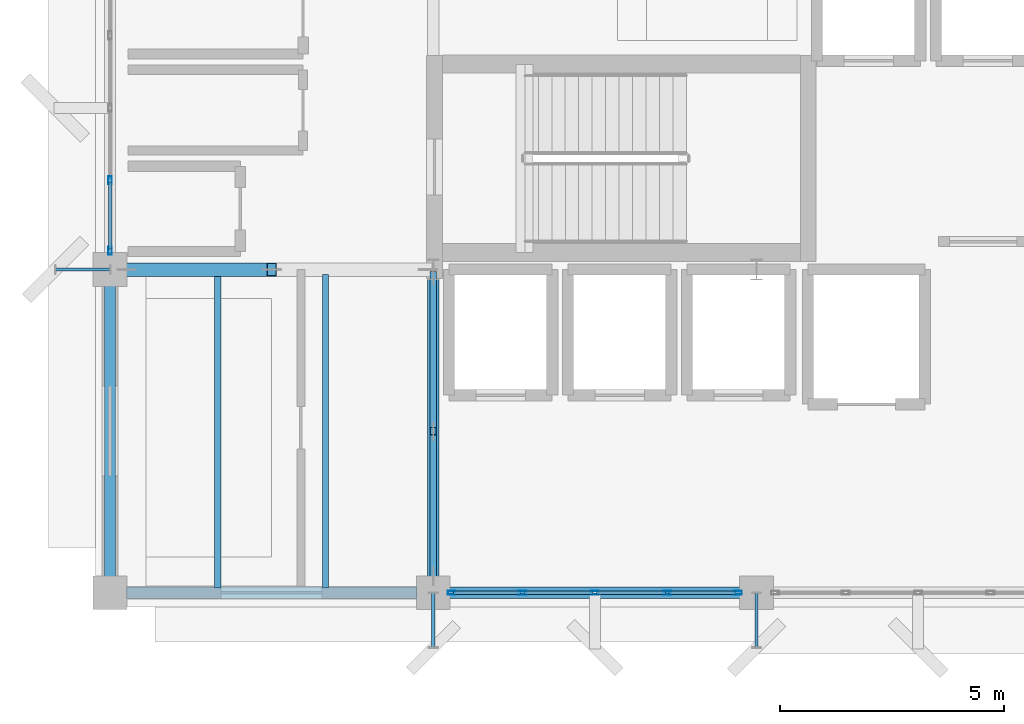
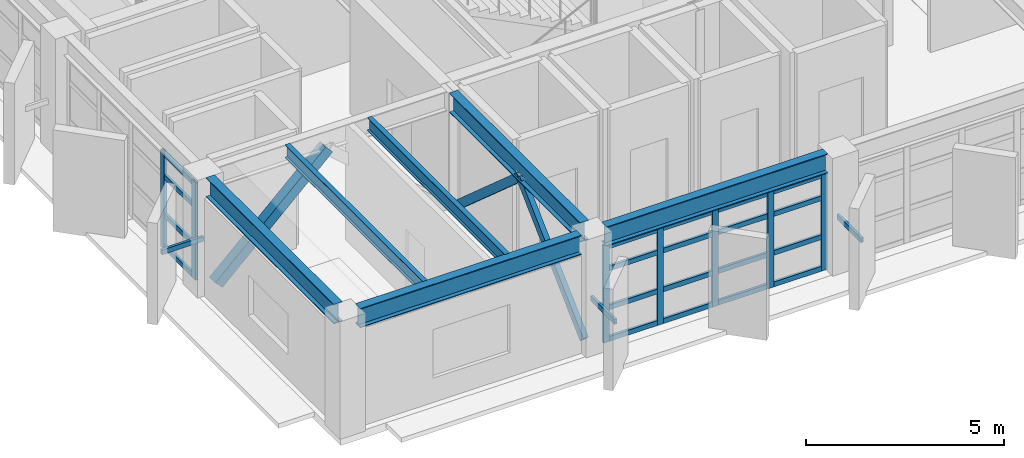
# One storey, part 5 of 48: 33 members, 6 beams, 2 elements without a shape of their own.
"""IFC4 building model written with IfcOpenShell, lengths in metres."""

from ifc_helpers import new_model, si_unit, direction, frame, origin, origin_2d, place, context, subcontext, project, spatial, hollow_rectangle, i_section, extrude, material, layer, layer_set, material_profile, profile_set, type_object, element, aggregate, save


model = new_model("IFC4")

# Units and contexts
model_context = context("Model", 3, precision=1e-05, world=origin(), true_north=direction((0.0, 1.0)))
body_context = subcontext(model_context, "Body", "Model", "MODEL_VIEW")
ifc_project = project(units=[si_unit("LENGTHUNIT", "METRE"), si_unit("AREAUNIT", "SQUARE_METRE"), si_unit("VOLUMEUNIT", "CUBIC_METRE"), si_unit("PLANEANGLEUNIT", "RADIAN"), si_unit("MASSUNIT", "GRAM", prefix="KILO")], contexts=[model_context])

# Site, building, storey
site_placement = place(None, origin())
site = spatial("IfcSite", under=ifc_project, at=site_placement, CompositionType="ELEMENT")
building_placement = place(site_placement, origin())
building = spatial("IfcBuilding", under=site, at=building_placement, Name="Kandorven Conservatory and Botanical Research Centre", CompositionType="ELEMENT")
storey_placement = place(building_placement, frame((0.0, 0.0, 13.199951171875)))
storey = spatial("IfcBuildingStorey", under=building, at=storey_placement, Name="L03", CompositionType="ELEMENT", Elevation=13.199951171875)

# Beams
ifc_material_1 = material(Name="Steel S355 (IS 2062 E350)", Category="steel")
ifc_material_profile_1 = material_profile(ifc_material_1, i_section(OverallWidth=0.25, OverallDepth=0.60009765625, WebThickness=0.01171875, FlangeThickness=0.023681640625, at=origin_2d()))
ifc_profile_set_1 = profile_set([ifc_material_profile_1], Name="Steel S355 (IS 2062 E350)")
beam_type_1 = type_object("IfcBeamType", Name="Beam_FG-01", PredefinedType="USERDEFINED", material=ifc_profile_set_1)
for number, where, z_axis, x_axis, name in (
    (1, (6.364990234375, 6.0, 3.3349609375), (1.0, 0.0, 0.0), (0.0, 1.0, 0.0), "Primary girder FG-01 TWR L03"),
    (2, (13.56494140625, 6.0, 3.3349609375), (1.0, 0.0, 0.0), (0.0, 1.0, 0.0), "Primary girder FG-01 TWR L03"),
    (3, (6.0, 6.364990234375, 3.3349609375), (0.0, 1.0, 0.0), (-1.0, 0.0, 0.0), "Primary girder FG-01 TWR L03"),
):
    element("IfcBeam", number, at=place(storey_placement, frame(where, z_axis=z_axis, x_axis=x_axis)), inside=storey, type_object=beam_type_1, Name=name, ObjectType="GIRDER", PredefinedType="USERDEFINED", context=body_context, shape_type="SweptSolid", body=[
        extrude(i_section(OverallWidth=0.25, OverallDepth=0.60009765625, WebThickness=0.01171875, FlangeThickness=0.023681640625, at=origin_2d()), origin(), (0.0, 0.0, 1.0), 6.469970703125),
    ])
beam_placement = place(storey_placement, frame((13.199951171875, 6.364990234375, 3.3349609375), z_axis=(0.0, 1.0, 0.0), x_axis=(-1.0, 0.0, 0.0)))
element("IfcBeam", 4, at=beam_placement, inside=storey, type_object=beam_type_1, Name="Primary girder FG-01 TWR L03", ObjectType="GIRDER", PredefinedType="USERDEFINED", context=body_context, shape_type="SweptSolid", body=[
    extrude(i_section(OverallWidth=0.25, OverallDepth=0.60009765625, WebThickness=0.01171875, FlangeThickness=0.023681640625, at=origin_2d()), origin(), (0.0, 0.0, 1.0), 6.6201171875),
])
ifc_material_2 = material(Name="Steel S355 (IS 2062 E350)", Category="steel")
ifc_material_profile_2 = material_profile(ifc_material_2, i_section(OverallWidth=0.139892578125, OverallDepth=0.39990234375, WebThickness=0.0087890625, FlangeThickness=0.01611328125, at=origin_2d()))
ifc_profile_set_2 = profile_set([ifc_material_profile_2], Name="Steel S355 (IS 2062 E350)")
beam_type_2 = type_object("IfcBeamType", Name="Beam_SB-05", PredefinedType="BEAM", material=ifc_profile_set_2)
for number, where, z_axis, x_axis, name in (
    (5, (8.39990234375, 6.110107421875, 3.43505859375), (0.0, 1.0, 0.0), (-1.0, 0.0, 0.0), "Composite secondary beam SB-05 TWR L03"),
    (6, (10.800048828125, 6.110107421875, 3.43505859375), (0.0, 1.0, 0.0), (-1.0, 0.0, 0.0), "Composite secondary beam SB-05 TWR L03"),
):
    element("IfcBeam", number, at=place(storey_placement, frame(where, z_axis=z_axis, x_axis=x_axis)), inside=storey, type_object=beam_type_2, Name=name, PredefinedType="BEAM", context=body_context, shape_type="SweptSolid", body=[
        extrude(i_section(OverallWidth=0.139892578125, OverallDepth=0.39990234375, WebThickness=0.0087890625, FlangeThickness=0.01611328125, at=origin_2d()), origin(), (0.0, 0.0, 1.0), 6.97998046875),
    ])

# Curtain wall, members
ifc_material_3 = material(Name="Bronze anodised thermally broken aluminium", Category="aluminium")
ifc_layer = layer(ifc_material_3, 0.179931640625)
ifc_layer_set = layer_set([ifc_layer], Name="Bronze anodised thermally broken aluminium")
curtain_wall_type = type_object("IfcCurtainWallType", Name="CW_Unitised", PredefinedType="USERDEFINED", material=ifc_layer_set)
curtain_wall_1_placement = place(storey_placement, origin())
curtain_wall_1 = element("IfcCurtainWall", 7, at=curtain_wall_1_placement, inside=storey, type_object=curtain_wall_type, Name="Tower laboratory curtain wall CW-TWR-S-L03-2", ObjectType="UNITISED GLAZING", PredefinedType="USERDEFINED")
ifc_material_4 = material(Name="Bronze anodised thermally broken aluminium", Category="aluminium")
ifc_material_profile_3 = material_profile(ifc_material_4, hollow_rectangle(XDim=0.080078125, YDim=0.179931640625, WallThickness=0.006103515625, at=origin_2d()))
ifc_profile_set_3 = profile_set([ifc_material_profile_3], Name="Bronze anodised thermally broken aluminium")
member_type_1 = type_object("IfcMemberType", Name="CW_Mullion", PredefinedType="MULLION", material=ifc_profile_set_3)
member_1_placement = place(storey_placement, frame((13.614990234375, 6.0, 0.0), z_axis=(0.0, 0.0, 1.0), x_axis=(0.0, 1.0, 0.0)))
member_1 = element("IfcMember", 8, at=member_1_placement, type_object=member_type_1, Name="CW-01 mullion 1", PredefinedType="MULLION", context=body_context, shape_type="SweptSolid", body=[
    extrude(hollow_rectangle(XDim=0.080078125, YDim=0.179931640625, WallThickness=0.006103515625, at=origin_2d()), origin(), (0.0, 0.0, 1.0), 3.01513671875),
])
member_2_placement = place(storey_placement, frame((15.1875, 6.0, 0.0), z_axis=(0.0, 0.0, 1.0), x_axis=(0.0, 1.0, 0.0)))
member_2 = element("IfcMember", 9, at=member_2_placement, type_object=member_type_1, Name="CW-01 mullion 2", PredefinedType="MULLION", context=body_context, shape_type="SweptSolid", body=[
    extrude(hollow_rectangle(XDim=0.080078125, YDim=0.179931640625, WallThickness=0.006103515625, at=origin_2d()), origin(), (0.0, 0.0, 1.0), 3.01513671875),
])
member_3_placement = place(storey_placement, frame((16.800048828125, 6.0, 0.0), z_axis=(0.0, 0.0, 1.0), x_axis=(0.0, 1.0, 0.0)))
member_3 = element("IfcMember", 10, at=member_3_placement, type_object=member_type_1, Name="CW-01 mullion 3", PredefinedType="MULLION", context=body_context, shape_type="SweptSolid", body=[
    extrude(hollow_rectangle(XDim=0.080078125, YDim=0.179931640625, WallThickness=0.006103515625, at=origin_2d()), origin(), (0.0, 0.0, 1.0), 3.01513671875),
])
member_4_placement = place(storey_placement, frame((18.41259765625, 6.0, 0.0), z_axis=(0.0, 0.0, 1.0), x_axis=(0.0, 1.0, 0.0)))
member_4 = element("IfcMember", 11, at=member_4_placement, type_object=member_type_1, Name="CW-01 mullion 4", PredefinedType="MULLION", context=body_context, shape_type="SweptSolid", body=[
    extrude(hollow_rectangle(XDim=0.080078125, YDim=0.179931640625, WallThickness=0.006103515625, at=origin_2d()), origin(), (0.0, 0.0, 1.0), 3.01513671875),
])
member_5_placement = place(storey_placement, frame((19.985107421875, 6.0, 0.0), z_axis=(0.0, 0.0, 1.0), x_axis=(0.0, 1.0, 0.0)))
member_5 = element("IfcMember", 12, at=member_5_placement, type_object=member_type_1, Name="CW-01 mullion 5", PredefinedType="MULLION", context=body_context, shape_type="SweptSolid", body=[
    extrude(hollow_rectangle(XDim=0.080078125, YDim=0.179931640625, WallThickness=0.006103515625, at=origin_2d()), origin(), (0.0, 0.0, 1.0), 3.01513671875),
])

curtain_wall_2_placement = place(storey_placement, origin())
curtain_wall_2 = element("IfcCurtainWall", 13, at=curtain_wall_2_placement, inside=storey, type_object=curtain_wall_type, Name="Tower laboratory curtain wall CW-TWR-W-L03-2", ObjectType="UNITISED GLAZING", PredefinedType="USERDEFINED")
member_6_placement = place(storey_placement, frame((6.0, 13.614990234375, 0.0), z_axis=(0.0, 0.0, 1.0), x_axis=(-1.0, 0.0, 0.0)))
member_6 = element("IfcMember", 14, at=member_6_placement, type_object=member_type_1, Name="CW-01 mullion 1", PredefinedType="MULLION", context=body_context, shape_type="SweptSolid", body=[
    extrude(hollow_rectangle(XDim=0.080078125, YDim=0.179931640625, WallThickness=0.006103515625, at=origin_2d()), origin(), (0.0, 0.0, 1.0), 3.01513671875),
])
member_7_placement = place(storey_placement, frame((6.0, 15.1875, 0.0), z_axis=(0.0, 0.0, 1.0), x_axis=(-1.0, 0.0, 0.0)))
member_7 = element("IfcMember", 15, at=member_7_placement, type_object=member_type_1, Name="CW-01 mullion 2", PredefinedType="MULLION", context=body_context, shape_type="SweptSolid", body=[
    extrude(hollow_rectangle(XDim=0.080078125, YDim=0.179931640625, WallThickness=0.006103515625, at=origin_2d()), origin(), (0.0, 0.0, 1.0), 3.01513671875),
])

# Member
ifc_material_5 = material(Name="Bronze anodised thermally broken aluminium", Category="aluminium")
ifc_material_profile_4 = material_profile(ifc_material_5, hollow_rectangle(XDim=0.074951171875, YDim=0.14990234375, WallThickness=0.006103515625, at=origin_2d()))
ifc_profile_set_4 = profile_set([ifc_material_profile_4], Name="Bronze anodised thermally broken aluminium")
member_type_2 = type_object("IfcMemberType", Name="CW_Transom", PredefinedType="USERDEFINED", material=ifc_profile_set_4)
member_8_placement = place(storey_placement, frame((13.655029296875, 6.0, 0.074951171875), z_axis=(1.0, 0.0, 0.0), x_axis=(0.0, 1.0, 0.0)))
member_8 = element("IfcMember", 16, at=member_8_placement, type_object=member_type_2, Name="CW-01 transom 1.1", ObjectType="TRANSOM", PredefinedType="USERDEFINED", context=body_context, shape_type="SweptSolid", body=[
    extrude(hollow_rectangle(XDim=0.074951171875, YDim=0.14990234375, WallThickness=0.006103515625, at=origin_2d()), origin(), (0.0, 0.0, 1.0), 1.492431640625),
])

member_9_placement = place(storey_placement, frame((13.655029296875, 6.0, 1.050048828125), z_axis=(1.0, 0.0, 0.0), x_axis=(0.0, 1.0, 0.0)))
member_9 = element("IfcMember", 17, at=member_9_placement, type_object=member_type_2, Name="CW-01 transom 1.2", ObjectType="TRANSOM", PredefinedType="USERDEFINED", context=body_context, shape_type="SweptSolid", body=[
    extrude(hollow_rectangle(XDim=0.074951171875, YDim=0.14990234375, WallThickness=0.006103515625, at=origin_2d()), origin(), (0.0, 0.0, 1.0), 1.492431640625),
])

member_10_placement = place(storey_placement, frame((13.655029296875, 6.0, 2.25), z_axis=(1.0, 0.0, 0.0), x_axis=(0.0, 1.0, 0.0)))
member_10 = element("IfcMember", 18, at=member_10_placement, type_object=member_type_2, Name="CW-01 transom 1.3", ObjectType="TRANSOM", PredefinedType="USERDEFINED", context=body_context, shape_type="SweptSolid", body=[
    extrude(hollow_rectangle(XDim=0.074951171875, YDim=0.14990234375, WallThickness=0.006103515625, at=origin_2d()), origin(), (0.0, 0.0, 1.0), 1.492431640625),
])

member_11_placement = place(storey_placement, frame((13.655029296875, 6.0, 2.93994140625), z_axis=(1.0, 0.0, 0.0), x_axis=(0.0, 1.0, 0.0)))
member_11 = element("IfcMember", 19, at=member_11_placement, type_object=member_type_2, Name="CW-01 transom 1.4", ObjectType="TRANSOM", PredefinedType="USERDEFINED", context=body_context, shape_type="SweptSolid", body=[
    extrude(hollow_rectangle(XDim=0.074951171875, YDim=0.14990234375, WallThickness=0.006103515625, at=origin_2d()), origin(), (0.0, 0.0, 1.0), 1.492431640625),
])

member_12_placement = place(storey_placement, frame((15.2275390625, 6.0, 0.074951171875), z_axis=(1.0, 0.0, 0.0), x_axis=(0.0, 1.0, 0.0)))
member_12 = element("IfcMember", 20, at=member_12_placement, type_object=member_type_2, Name="CW-01 transom 2.1", ObjectType="TRANSOM", PredefinedType="USERDEFINED", context=body_context, shape_type="SweptSolid", body=[
    extrude(hollow_rectangle(XDim=0.074951171875, YDim=0.14990234375, WallThickness=0.006103515625, at=origin_2d()), origin(), (0.0, 0.0, 1.0), 1.532470703125),
])

member_13_placement = place(storey_placement, frame((15.2275390625, 6.0, 1.050048828125), z_axis=(1.0, 0.0, 0.0), x_axis=(0.0, 1.0, 0.0)))
member_13 = element("IfcMember", 21, at=member_13_placement, type_object=member_type_2, Name="CW-01 transom 2.2", ObjectType="TRANSOM", PredefinedType="USERDEFINED", context=body_context, shape_type="SweptSolid", body=[
    extrude(hollow_rectangle(XDim=0.074951171875, YDim=0.14990234375, WallThickness=0.006103515625, at=origin_2d()), origin(), (0.0, 0.0, 1.0), 1.532470703125),
])

member_14_placement = place(storey_placement, frame((15.2275390625, 6.0, 2.25), z_axis=(1.0, 0.0, 0.0), x_axis=(0.0, 1.0, 0.0)))
member_14 = element("IfcMember", 22, at=member_14_placement, type_object=member_type_2, Name="CW-01 transom 2.3", ObjectType="TRANSOM", PredefinedType="USERDEFINED", context=body_context, shape_type="SweptSolid", body=[
    extrude(hollow_rectangle(XDim=0.074951171875, YDim=0.14990234375, WallThickness=0.006103515625, at=origin_2d()), origin(), (0.0, 0.0, 1.0), 1.532470703125),
])

member_15_placement = place(storey_placement, frame((15.2275390625, 6.0, 2.93994140625), z_axis=(1.0, 0.0, 0.0), x_axis=(0.0, 1.0, 0.0)))
member_15 = element("IfcMember", 23, at=member_15_placement, type_object=member_type_2, Name="CW-01 transom 2.4", ObjectType="TRANSOM", PredefinedType="USERDEFINED", context=body_context, shape_type="SweptSolid", body=[
    extrude(hollow_rectangle(XDim=0.074951171875, YDim=0.14990234375, WallThickness=0.006103515625, at=origin_2d()), origin(), (0.0, 0.0, 1.0), 1.532470703125),
])

member_16_placement = place(storey_placement, frame((16.840087890625, 6.0, 0.074951171875), z_axis=(1.0, 0.0, 0.0), x_axis=(0.0, 1.0, 0.0)))
member_16 = element("IfcMember", 24, at=member_16_placement, type_object=member_type_2, Name="CW-01 transom 3.1", ObjectType="TRANSOM", PredefinedType="USERDEFINED", context=body_context, shape_type="SweptSolid", body=[
    extrude(hollow_rectangle(XDim=0.074951171875, YDim=0.14990234375, WallThickness=0.006103515625, at=origin_2d()), origin(), (0.0, 0.0, 1.0), 1.532470703125),
])

member_17_placement = place(storey_placement, frame((16.840087890625, 6.0, 1.050048828125), z_axis=(1.0, 0.0, 0.0), x_axis=(0.0, 1.0, 0.0)))
member_17 = element("IfcMember", 25, at=member_17_placement, type_object=member_type_2, Name="CW-01 transom 3.2", ObjectType="TRANSOM", PredefinedType="USERDEFINED", context=body_context, shape_type="SweptSolid", body=[
    extrude(hollow_rectangle(XDim=0.074951171875, YDim=0.14990234375, WallThickness=0.006103515625, at=origin_2d()), origin(), (0.0, 0.0, 1.0), 1.532470703125),
])

member_18_placement = place(storey_placement, frame((16.840087890625, 6.0, 2.25), z_axis=(1.0, 0.0, 0.0), x_axis=(0.0, 1.0, 0.0)))
member_18 = element("IfcMember", 26, at=member_18_placement, type_object=member_type_2, Name="CW-01 transom 3.3", ObjectType="TRANSOM", PredefinedType="USERDEFINED", context=body_context, shape_type="SweptSolid", body=[
    extrude(hollow_rectangle(XDim=0.074951171875, YDim=0.14990234375, WallThickness=0.006103515625, at=origin_2d()), origin(), (0.0, 0.0, 1.0), 1.532470703125),
])

member_19_placement = place(storey_placement, frame((16.840087890625, 6.0, 2.93994140625), z_axis=(1.0, 0.0, 0.0), x_axis=(0.0, 1.0, 0.0)))
member_19 = element("IfcMember", 27, at=member_19_placement, type_object=member_type_2, Name="CW-01 transom 3.4", ObjectType="TRANSOM", PredefinedType="USERDEFINED", context=body_context, shape_type="SweptSolid", body=[
    extrude(hollow_rectangle(XDim=0.074951171875, YDim=0.14990234375, WallThickness=0.006103515625, at=origin_2d()), origin(), (0.0, 0.0, 1.0), 1.532470703125),
])

member_20_placement = place(storey_placement, frame((18.452392578125, 6.0, 0.074951171875), z_axis=(1.0, 0.0, 0.0), x_axis=(0.0, 1.0, 0.0)))
member_20 = element("IfcMember", 28, at=member_20_placement, type_object=member_type_2, Name="CW-01 transom 4.1", ObjectType="TRANSOM", PredefinedType="USERDEFINED", context=body_context, shape_type="SweptSolid", body=[
    extrude(hollow_rectangle(XDim=0.074951171875, YDim=0.14990234375, WallThickness=0.006103515625, at=origin_2d()), origin(), (0.0, 0.0, 1.0), 1.49267578125),
])

member_21_placement = place(storey_placement, frame((18.452392578125, 6.0, 1.050048828125), z_axis=(1.0, 0.0, 0.0), x_axis=(0.0, 1.0, 0.0)))
member_21 = element("IfcMember", 29, at=member_21_placement, type_object=member_type_2, Name="CW-01 transom 4.2", ObjectType="TRANSOM", PredefinedType="USERDEFINED", context=body_context, shape_type="SweptSolid", body=[
    extrude(hollow_rectangle(XDim=0.074951171875, YDim=0.14990234375, WallThickness=0.006103515625, at=origin_2d()), origin(), (0.0, 0.0, 1.0), 1.49267578125),
])

member_22_placement = place(storey_placement, frame((18.452392578125, 6.0, 2.25), z_axis=(1.0, 0.0, 0.0), x_axis=(0.0, 1.0, 0.0)))
member_22 = element("IfcMember", 30, at=member_22_placement, type_object=member_type_2, Name="CW-01 transom 4.3", ObjectType="TRANSOM", PredefinedType="USERDEFINED", context=body_context, shape_type="SweptSolid", body=[
    extrude(hollow_rectangle(XDim=0.074951171875, YDim=0.14990234375, WallThickness=0.006103515625, at=origin_2d()), origin(), (0.0, 0.0, 1.0), 1.49267578125),
])

member_23_placement = place(storey_placement, frame((18.452392578125, 6.0, 2.93994140625), z_axis=(1.0, 0.0, 0.0), x_axis=(0.0, 1.0, 0.0)))
member_23 = element("IfcMember", 31, at=member_23_placement, type_object=member_type_2, Name="CW-01 transom 4.4", ObjectType="TRANSOM", PredefinedType="USERDEFINED", context=body_context, shape_type="SweptSolid", body=[
    extrude(hollow_rectangle(XDim=0.074951171875, YDim=0.14990234375, WallThickness=0.006103515625, at=origin_2d()), origin(), (0.0, 0.0, 1.0), 1.49267578125),
])

aggregate(curtain_wall_1, [member_1, member_2, member_3, member_4, member_5, member_8, member_9, member_10, member_11, member_12, member_13, member_14, member_15, member_16, member_17, member_18, member_19, member_20, member_21, member_22, member_23])

member_24_placement = place(storey_placement, frame((6.0, 13.655029296875, 0.074951171875), z_axis=(0.0, 1.0, 0.0), x_axis=(-1.0, 0.0, 0.0)))
member_24 = element("IfcMember", 32, at=member_24_placement, type_object=member_type_2, Name="CW-01 transom 1.1", ObjectType="TRANSOM", PredefinedType="USERDEFINED", context=body_context, shape_type="SweptSolid", body=[
    extrude(hollow_rectangle(XDim=0.074951171875, YDim=0.14990234375, WallThickness=0.006103515625, at=origin_2d()), origin(), (0.0, 0.0, 1.0), 1.492431640625),
])

member_25_placement = place(storey_placement, frame((6.0, 13.655029296875, 1.050048828125), z_axis=(0.0, 1.0, 0.0), x_axis=(-1.0, 0.0, 0.0)))
member_25 = element("IfcMember", 33, at=member_25_placement, type_object=member_type_2, Name="CW-01 transom 1.2", ObjectType="TRANSOM", PredefinedType="USERDEFINED", context=body_context, shape_type="SweptSolid", body=[
    extrude(hollow_rectangle(XDim=0.074951171875, YDim=0.14990234375, WallThickness=0.006103515625, at=origin_2d()), origin(), (0.0, 0.0, 1.0), 1.492431640625),
])

member_26_placement = place(storey_placement, frame((6.0, 13.655029296875, 2.25), z_axis=(0.0, 1.0, 0.0), x_axis=(-1.0, 0.0, 0.0)))
member_26 = element("IfcMember", 34, at=member_26_placement, type_object=member_type_2, Name="CW-01 transom 1.3", ObjectType="TRANSOM", PredefinedType="USERDEFINED", context=body_context, shape_type="SweptSolid", body=[
    extrude(hollow_rectangle(XDim=0.074951171875, YDim=0.14990234375, WallThickness=0.006103515625, at=origin_2d()), origin(), (0.0, 0.0, 1.0), 1.492431640625),
])

member_27_placement = place(storey_placement, frame((6.0, 13.655029296875, 2.93994140625), z_axis=(0.0, 1.0, 0.0), x_axis=(-1.0, 0.0, 0.0)))
member_27 = element("IfcMember", 35, at=member_27_placement, type_object=member_type_2, Name="CW-01 transom 1.4", ObjectType="TRANSOM", PredefinedType="USERDEFINED", context=body_context, shape_type="SweptSolid", body=[
    extrude(hollow_rectangle(XDim=0.074951171875, YDim=0.14990234375, WallThickness=0.006103515625, at=origin_2d()), origin(), (0.0, 0.0, 1.0), 1.492431640625),
])

aggregate(curtain_wall_2, [member_6, member_7, member_24, member_25, member_26, member_27])

# Members
ifc_material_6 = material(Name="Steel S355 (IS 2062 E350)", Category="steel")
ifc_material_profile_5 = material_profile(ifc_material_6, hollow_rectangle(XDim=0.300048828125, YDim=0.300048828125, WallThickness=0.01611328125, at=origin_2d()))
ifc_profile_set_5 = profile_set([ifc_material_profile_5], Name="Steel S355 (IS 2062 E350)")
member_type_3 = type_object("IfcMemberType", Name="Mem_BR-01", PredefinedType="BRACE", material=ifc_profile_set_5)
member_28_placement = place(storey_placement, frame((6.375, 13.199951171875, 0.0), z_axis=(0.724876119321, 0.0, 0.688879243146), x_axis=(0.0, 1.0, 0.0)))
element("IfcMember", 36, at=member_28_placement, inside=storey, type_object=member_type_3, Name="Tower lateral chevron brace BR-01 L03 W", PredefinedType="BRACE", context=body_context, shape_type="SweptSolid", body=[
    extrude(hollow_rectangle(XDim=0.300048828125, YDim=0.300048828125, WallThickness=0.01611328125, at=origin_2d()), origin(), (0.0, 0.0, 1.0), 4.44921875),
])
ifc_material_7 = material(Name="Steel S355 (IS 2062 E350)", Category="steel")
ifc_material_profile_6 = material_profile(ifc_material_7, hollow_rectangle(XDim=0.14990234375, YDim=0.25, WallThickness=0.010009765625, at=origin_2d()))
ifc_profile_set_6 = profile_set([ifc_material_profile_6], Name="Steel S355 (IS 2062 E350)")
member_type_4 = type_object("IfcMemberType", Name="Mem_BR-04", PredefinedType="BRACE", material=ifc_profile_set_6)
member_29_placement = place(storey_placement, frame((13.199951171875, 6.375, 0.0), z_axis=(0.0, 0.724876119321, 0.688879243146), x_axis=(-1.0, 0.0, 0.0)))
element("IfcMember", 37, at=member_29_placement, inside=storey, type_object=member_type_4, Name="Tower lateral chevron brace BR-04 L03 S", PredefinedType="BRACE", context=body_context, shape_type="SweptSolid", body=[
    extrude(hollow_rectangle(XDim=0.14990234375, YDim=0.25, WallThickness=0.010009765625, at=origin_2d()), origin(), (0.0, 0.0, 1.0), 4.44921875),
])
member_30_placement = place(storey_placement, frame((13.199951171875, 13.074951171875, 0.0), z_axis=(0.0, -0.749956245168, 0.661487437774), x_axis=(1.0, 0.0, 0.0)))
element("IfcMember", 38, at=member_30_placement, inside=storey, type_object=member_type_4, Name="Tower lateral chevron brace BR-04 L03 N", PredefinedType="BRACE", context=body_context, shape_type="SweptSolid", body=[
    extrude(hollow_rectangle(XDim=0.14990234375, YDim=0.25, WallThickness=0.010009765625, at=origin_2d()), origin(), (0.0, 0.0, 1.0), 4.63330078125),
])
ifc_material_8 = material(Name="Steel S355 (IS 2062 E350)", Category="steel")
ifc_material_profile_7 = material_profile(ifc_material_8, hollow_rectangle(XDim=0.074951171875, YDim=0.14990234375, WallThickness=0.006103515625, at=origin_2d()))
ifc_profile_set_7 = profile_set([ifc_material_profile_7], Name="Steel S355 (IS 2062 E350)")
member_type_5 = type_object("IfcMemberType", Name="Mem_SF-01", PredefinedType="STRUT", material=ifc_profile_set_7)
for number, where, z_axis, x_axis, name in (
    (39, (13.199951171875, 6.0, 1.5), (0.0, -1.0, 0.0), (1.0, 0.0, 0.0), "Solar fin steel outrigger strut SF-01 #21"),
    (40, (20.39990234375, 6.0, 1.5), (0.0, -1.0, 0.0), (1.0, 0.0, 0.0), "Solar fin steel outrigger strut SF-01 #23"),
    (41, (6.0, 13.199951171875, 1.5), (-1.0, 0.0, 0.0), (0.0, -1.0, 0.0), "Solar fin steel outrigger strut SF-01 #27"),
):
    element("IfcMember", number, at=place(storey_placement, frame(where, z_axis=z_axis, x_axis=x_axis)), inside=storey, type_object=member_type_5, Name=name, PredefinedType="STRUT", context=body_context, shape_type="SweptSolid", body=[
        extrude(hollow_rectangle(XDim=0.074951171875, YDim=0.14990234375, WallThickness=0.006103515625, at=origin_2d()), origin(), (0.0, 0.0, 1.0), 1.219970703125),
    ])

save(model, "model.ifc")
